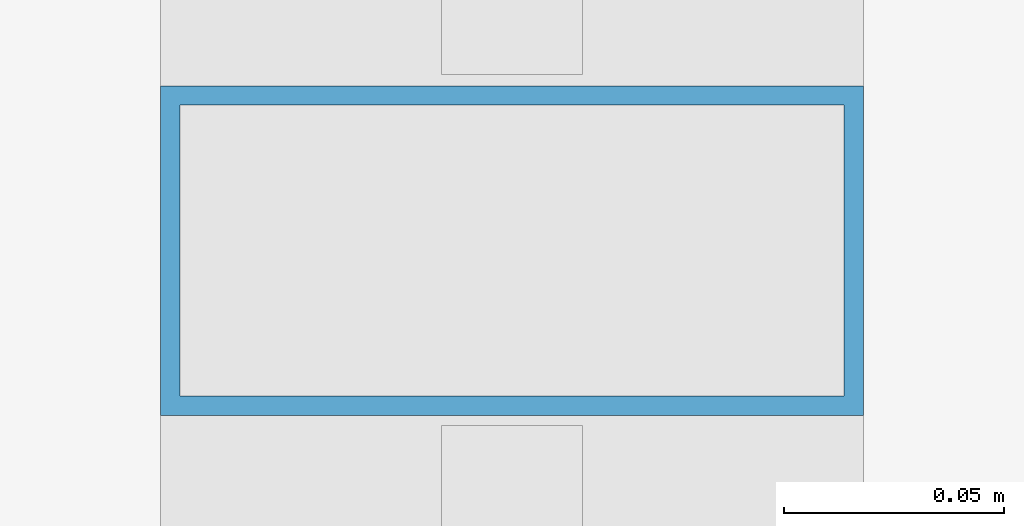
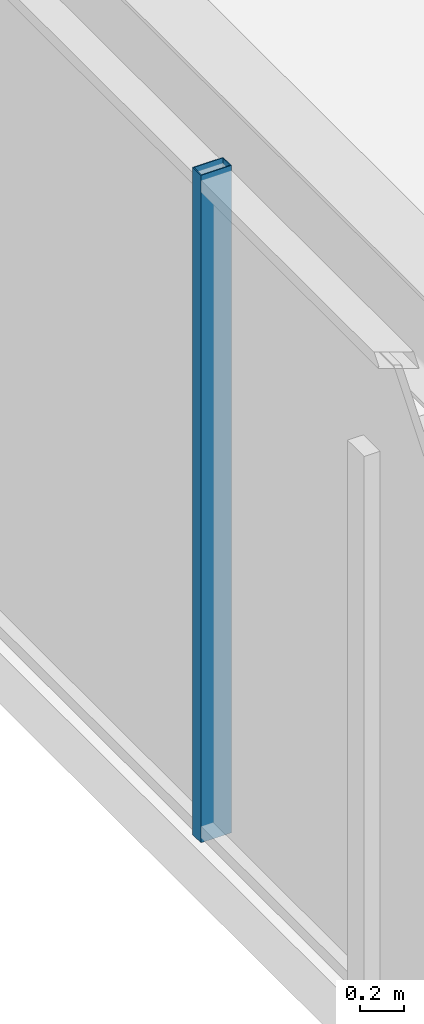
# One storey, part 21 of 39: 1 member, 1 element without a shape of its own.
"""IFC4 building model written with IfcOpenShell, lengths in metres."""

from ifc_helpers import new_model, si_unit, direction, frame, origin, origin_2d, place, context, subcontext, project, spatial, hollow_rectangle, extrude, material, material_profile, profile_set, type_object, element, aggregate, save


model = new_model("IFC4")

# Units and contexts
model_context = context("Model", 3, precision=1e-05, world=origin(), true_north=direction((0.0, 1.0)))
body_context = subcontext(model_context, "Body", "Model", "MODEL_VIEW")
ifc_project = project(units=[si_unit("LENGTHUNIT", "METRE"), si_unit("AREAUNIT", "SQUARE_METRE"), si_unit("VOLUMEUNIT", "CUBIC_METRE"), si_unit("PLANEANGLEUNIT", "RADIAN"), si_unit("MASSUNIT", "GRAM", prefix="KILO")], contexts=[model_context])

# Site, building, storey
site_placement = place(None, origin())
site = spatial("IfcSite", under=ifc_project, at=site_placement, CompositionType="ELEMENT")
building_placement = place(site_placement, origin())
building = spatial("IfcBuilding", under=site, at=building_placement, Name="Kolvaren Belvedere", CompositionType="ELEMENT")
storey_placement = place(building_placement, frame((0.0, 0.0, 15.199951171875)))
storey = spatial("IfcBuildingStorey", under=building, at=storey_placement, Name="L04", CompositionType="ELEMENT", Elevation=15.199951171875)

# Curtain wall, member
ifc_material_1 = material(Name="Anodised pale-metal aluminium AA 6063-T6", Category="aluminium")
curtain_wall_type = type_object("IfcCurtainWallType", Name="CW-POD-A", PredefinedType="NOTDEFINED", material=ifc_material_1)
curtain_wall_placement = place(storey_placement, origin())
curtain_wall = element("IfcCurtainWall", 1, at=curtain_wall_placement, inside=storey, type_object=curtain_wall_type, Name="L04 Unitised Curtain Wall FCW-L04-W", PredefinedType="NOTDEFINED")
ifc_material_2 = material(Name="Anodised pale-metal aluminium AA 6063-T6", Category="aluminium")
ifc_material_profile = material_profile(ifc_material_2, hollow_rectangle(XDim=0.074951171875, YDim=0.159912109375, WallThickness=0.00439453125, at=origin_2d()), Name="ALU-MUL-160X75")
ifc_profile_set = profile_set([ifc_material_profile], Name="Anodised pale-metal aluminium AA 6063-T6")
member_type = type_object("IfcMemberType", Name="CW-MUL-160", PredefinedType="MULLION", material=ifc_profile_set)
member_placement = place(storey_placement, frame((-27.8798828125, 14.199951171875, 0.0), z_axis=(0.0, 0.0, 1.0), x_axis=(0.0, 1.0, 0.0)))
member = element("IfcMember", 2, at=member_placement, type_object=member_type, Name="FCW-L04-W Unitised Mullion 4", PredefinedType="MULLION", context=body_context, shape_type="SweptSolid", body=[
    extrude(hollow_rectangle(XDim=0.074951171875, YDim=0.159912109375, WallThickness=0.00439453125, at=origin_2d()), origin(), (0.0, 0.0, 1.0), 3.699951171875),
])
aggregate(curtain_wall, [member])

save(model, "model.ifc")
